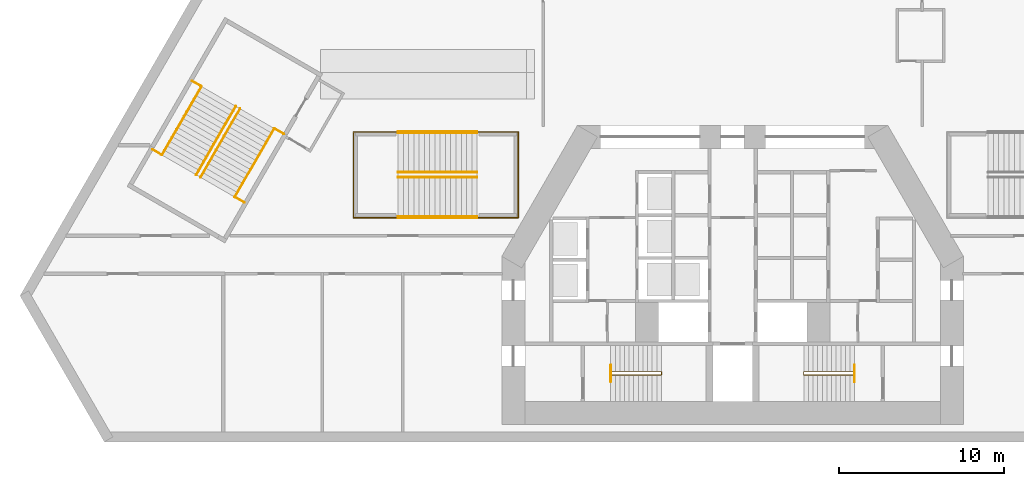
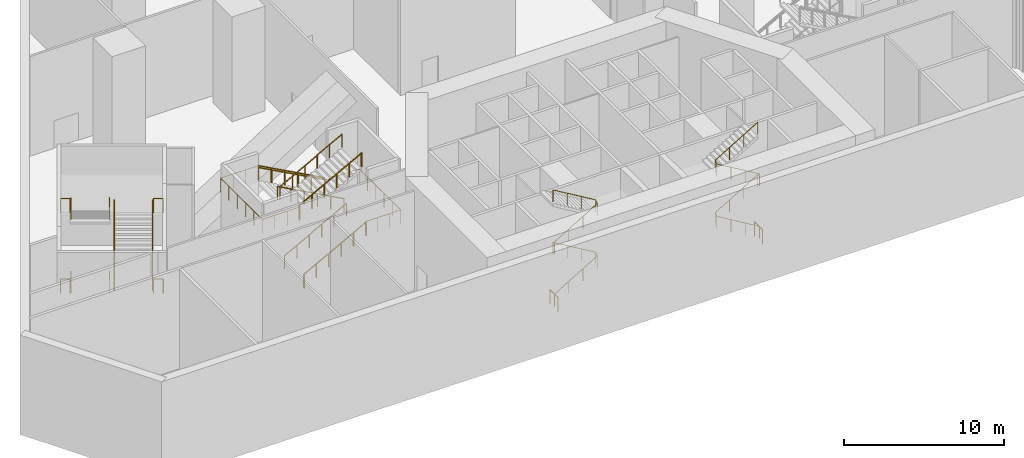
# One storey, part 9 of 11: 25 railings.
"""IFC4 building model written with IfcOpenShell, lengths in metres."""

from ifc_helpers import new_model, si_unit, direction, frame, origin, origin_2d, place, context, subcontext, project, spatial, circle, extrude, material, type_object, element, save


model = new_model("IFC4")

# Units and contexts
model_context = context("Model", 3, precision=1e-05, world=origin(), true_north=direction((0.0, 1.0)))
body_context = subcontext(model_context, "Body", "Model", "MODEL_VIEW")
ifc_project = project(units=[si_unit("LENGTHUNIT", "METRE"), si_unit("AREAUNIT", "SQUARE_METRE"), si_unit("VOLUMEUNIT", "CUBIC_METRE"), si_unit("PLANEANGLEUNIT", "RADIAN"), si_unit("MASSUNIT", "GRAM", prefix="KILO")], contexts=[model_context])

# Site, building, storey
site_placement = place(None, origin())
site = spatial("IfcSite", under=ifc_project, at=site_placement, CompositionType="ELEMENT")
building_placement = place(site_placement, origin())
building = spatial("IfcBuilding", under=site, at=building_placement, Name="Fogline Exchange Tower", CompositionType="ELEMENT")
storey_placement = place(building_placement, frame((0.0, 0.0, -8.0)))
storey = spatial("IfcBuildingStorey", under=building, at=storey_placement, Name="B1", CompositionType="ELEMENT", Elevation=-8.0)

# Railings
ifc_material = material(Name="Steel Q235B", Category="steel")
railing_type_1 = type_object("IfcRailingType", Name="PG1", PredefinedType="GUARDRAIL", material=ifc_material)
railing_1_placement = place(storey_placement, frame((-35.194091796875, 17.53076171875, 2.608642578125)))
element("IfcRailing", 1, at=railing_1_placement, inside=storey, type_object=railing_type_1, Name="Landing guard ST4", PredefinedType="GUARDRAIL", context=body_context, shape_type="SweptSolid", body=[
    extrude(circle(Radius=0.02392578125, at=origin_2d()), frame((0.0, 0.0, 1.076171875), z_axis=(0.866059952115, -0.49994015576, 0.0), x_axis=(0.49994015576, 0.866059952115, 0.0)), (0.0, 0.0, 1.0), 0.61474609375),
    extrude(circle(Radius=0.02099609375, at=origin_2d()), origin(), (0.0, 0.0, 1.0), 1.052001953125),
    extrude(circle(Radius=0.02099609375, at=origin_2d()), frame((0.532470703125, -0.307373046875, 0.0)), (0.0, 0.0, 1.0), 1.052001953125),
])
railing_2_placement = place(storey_placement, frame((-30.158203125, 14.62353515625, 2.608642578125)))
element("IfcRailing", 2, at=railing_2_placement, inside=storey, type_object=railing_type_1, Name="Landing guard ST4", PredefinedType="GUARDRAIL", context=body_context, shape_type="SweptSolid", body=[
    extrude(circle(Radius=0.02392578125, at=origin_2d()), frame((0.0, 0.0, 1.076171875), z_axis=(0.865987299264, -0.500065993159, 0.0), x_axis=(0.500065993159, 0.865987299264, 0.0)), (0.0, 0.0, 1.0), 0.615234375),
    extrude(circle(Radius=0.02099609375, at=origin_2d()), origin(), (0.0, 0.0, 1.0), 1.052001953125),
    extrude(circle(Radius=0.02099609375, at=origin_2d()), frame((0.53271484375, -0.3076171875, 0.0)), (0.0, 0.0, 1.0), 1.052001953125),
])
railing_3_placement = place(storey_placement, frame((-32.794189453125, 21.687744140625, 5.391357421875)))
element("IfcRailing", 3, at=railing_3_placement, inside=storey, type_object=railing_type_1, Name="Landing guard ST4", PredefinedType="GUARDRAIL", context=body_context, shape_type="SweptSolid", body=[
    extrude(circle(Radius=0.02392578125, at=origin_2d()), frame((0.0, 0.0, 1.076171875), z_axis=(0.866059952115, -0.49994015576, 0.0), x_axis=(0.49994015576, 0.866059952115, 0.0)), (0.0, 0.0, 1.0), 0.61474609375),
    extrude(circle(Radius=0.02099609375, at=origin_2d()), origin(), (0.0, 0.0, 1.0), 1.052001953125),
    extrude(circle(Radius=0.02099609375, at=origin_2d()), frame((0.532470703125, -0.307373046875, 0.0)), (0.0, 0.0, 1.0), 1.052001953125),
])
railing_4_placement = place(storey_placement, frame((-27.75830078125, 18.780517578125, 5.391357421875)))
element("IfcRailing", 4, at=railing_4_placement, inside=storey, type_object=railing_type_1, Name="Landing guard ST4", PredefinedType="GUARDRAIL", context=body_context, shape_type="SweptSolid", body=[
    extrude(circle(Radius=0.02392578125, at=origin_2d()), frame((0.0, 0.0, 1.076171875), z_axis=(0.865987299264, -0.500065993159, 0.0), x_axis=(0.500065993159, 0.865987299264, 0.0)), (0.0, 0.0, 1.0), 0.615234375),
    extrude(circle(Radius=0.02099609375, at=origin_2d()), origin(), (0.0, 0.0, 1.0), 1.052001953125),
    extrude(circle(Radius=0.02099609375, at=origin_2d()), frame((0.53271484375, -0.3076171875, 0.0)), (0.0, 0.0, 1.0), 1.052001953125),
])
railing_5_placement = place(storey_placement, frame((-19.97998046875, 13.3798828125, 0.173828125)))
element("IfcRailing", 5, at=railing_5_placement, inside=storey, type_object=railing_type_1, Name="Guard PS3", PredefinedType="GUARDRAIL", context=body_context, shape_type="SweptSolid", body=[
    extrude(circle(Radius=0.02392578125, at=origin_2d()), frame((0.0, 0.0, 1.076171875), z_axis=(0.878621015842, 0.0, 0.477519748828), x_axis=(0.0, 1.0, 0.0)), (0.0, 0.0, 1.0), 5.098876953125),
    extrude(circle(Radius=0.02099609375, at=origin_2d()), origin(), (0.0, 0.0, 1.0), 1.052001953125),
    extrude(circle(Radius=0.02099609375, at=origin_2d()), frame((0.89599609375, 0.0, 0.487060546875)), (0.0, 0.0, 1.0), 1.052001953125),
    extrude(circle(Radius=0.02099609375, at=origin_2d()), frame((1.7919921875, 0.0, 0.973876953125)), (0.0, 0.0, 1.0), 1.052001953125),
    extrude(circle(Radius=0.02099609375, at=origin_2d()), frame((2.68798828125, 0.0, 1.4609375)), (0.0, 0.0, 1.0), 1.052001953125),
    extrude(circle(Radius=0.02099609375, at=origin_2d()), frame((3.583984375, 0.0, 1.94775390625)), (0.0, 0.0, 1.0), 1.052001953125),
    extrude(circle(Radius=0.02099609375, at=origin_2d()), frame((4.47998046875, 0.0, 2.434814453125)), (0.0, 0.0, 1.0), 1.052001953125),
])
railing_6_placement = place(storey_placement, frame((-15.5, 18.6201171875, 2.78271484375)))
element("IfcRailing", 6, at=railing_6_placement, inside=storey, type_object=railing_type_1, Name="Guard PS3", PredefinedType="GUARDRAIL", context=body_context, shape_type="SweptSolid", body=[
    extrude(circle(Radius=0.02392578125, at=origin_2d()), frame((0.0, 0.0, 1.076171875), z_axis=(-0.878630623466, 0.0, 0.477502070685), x_axis=(0.0, -1.0, 0.0)), (0.0, 0.0, 1.0), 5.463134765625),
    extrude(circle(Radius=0.02099609375, at=origin_2d()), origin(), (0.0, 0.0, 1.0), 1.052001953125),
    extrude(circle(Radius=0.02099609375, at=origin_2d()), frame((-0.9599609375, 0.0, 0.521728515625)), (0.0, 0.0, 1.0), 1.052001953125),
    extrude(circle(Radius=0.02099609375, at=origin_2d()), frame((-1.919921875, 0.0, 1.04345703125)), (0.0, 0.0, 1.0), 1.052001953125),
    extrude(circle(Radius=0.02099609375, at=origin_2d()), frame((-2.880126953125, 0.0, 1.565185546875)), (0.0, 0.0, 1.0), 1.052001953125),
    extrude(circle(Radius=0.02099609375, at=origin_2d()), frame((-3.840087890625, 0.0, 2.0869140625)), (0.0, 0.0, 1.0), 1.052001953125),
    extrude(circle(Radius=0.02099609375, at=origin_2d()), frame((-4.800048828125, 0.0, 2.608642578125)), (0.0, 0.0, 1.0), 1.052001953125),
])
railing_7_placement = place(storey_placement, frame((-20.300048828125, 13.3798828125, 5.565185546875)))
element("IfcRailing", 7, at=railing_7_placement, inside=storey, type_object=railing_type_1, Name="Guard PS3", PredefinedType="GUARDRAIL", context=body_context, shape_type="SweptSolid", body=[
    extrude(circle(Radius=0.02392578125, at=origin_2d()), frame((0.0, 0.0, 1.076171875), z_axis=(0.878621015842, 0.0, 0.477519748828), x_axis=(0.0, 1.0, 0.0)), (0.0, 0.0, 1.0), 5.098876953125),
    extrude(circle(Radius=0.02099609375, at=origin_2d()), origin(), (0.0, 0.0, 1.0), 1.052001953125),
    extrude(circle(Radius=0.02099609375, at=origin_2d()), frame((0.89599609375, 0.0, 0.487060546875)), (0.0, 0.0, 1.0), 1.052001953125),
    extrude(circle(Radius=0.02099609375, at=origin_2d()), frame((1.7919921875, 0.0, 0.973876953125)), (0.0, 0.0, 1.0), 1.052001953125),
    extrude(circle(Radius=0.02099609375, at=origin_2d()), frame((2.68798828125, 0.0, 1.4609375)), (0.0, 0.0, 1.0), 1.052001953125),
    extrude(circle(Radius=0.02099609375, at=origin_2d()), frame((3.583984375, 0.0, 1.94775390625)), (0.0, 0.0, 1.0), 1.052001953125),
    extrude(circle(Radius=0.02099609375, at=origin_2d()), frame((4.47998046875, 0.0, 2.434814453125)), (0.0, 0.0, 1.0), 1.052001953125),
])
railing_8_placement = place(storey_placement, frame((-15.5, 13.39990234375, 2.608642578125)))
element("IfcRailing", 8, at=railing_8_placement, inside=storey, type_object=railing_type_1, Name="Landing guard PS3", PredefinedType="GUARDRAIL", context=body_context, shape_type="SweptSolid", body=[
    extrude(circle(Radius=0.02392578125, at=origin_2d()), frame((0.0, 0.0, 1.076171875), z_axis=(1.0, 0.0, 0.0), x_axis=(0.0, 1.0, 0.0)), (0.0, 0.0, 1.0), 2.5),
    extrude(circle(Radius=0.02392578125, at=origin_2d()), frame((2.5, 0.0, 1.076171875), z_axis=(0.0, 1.0, 0.0), x_axis=(-1.0, 0.0, 0.0)), (0.0, 0.0, 1.0), 5.2001953125),
    extrude(circle(Radius=0.02392578125, at=origin_2d()), frame((2.5, 5.2001953125, 1.076171875), z_axis=(-1.0, 0.0, 0.0), x_axis=(0.0, -1.0, 0.0)), (0.0, 0.0, 1.0), 2.5),
    extrude(circle(Radius=0.02099609375, at=origin_2d()), origin(), (0.0, 0.0, 1.0), 1.052001953125),
    extrude(circle(Radius=0.02099609375, at=origin_2d()), frame((0.833251953125, 0.0, 0.0)), (0.0, 0.0, 1.0), 1.052001953125),
    extrude(circle(Radius=0.02099609375, at=origin_2d()), frame((1.666748046875, 0.0, 0.0)), (0.0, 0.0, 1.0), 1.052001953125),
    extrude(circle(Radius=0.02099609375, at=origin_2d()), frame((2.5, 0.0, 0.0)), (0.0, 0.0, 1.0), 1.052001953125),
    extrude(circle(Radius=0.02099609375, at=origin_2d()), frame((2.5, 1.0400390625, 0.0)), (0.0, 0.0, 1.0), 1.052001953125),
    extrude(circle(Radius=0.02099609375, at=origin_2d()), frame((2.5, 2.080078125, 0.0)), (0.0, 0.0, 1.0), 1.052001953125),
    extrude(circle(Radius=0.02099609375, at=origin_2d()), frame((2.5, 3.1201171875, 0.0)), (0.0, 0.0, 1.0), 1.052001953125),
    extrude(circle(Radius=0.02099609375, at=origin_2d()), frame((2.5, 4.16015625, 0.0)), (0.0, 0.0, 1.0), 1.052001953125),
    extrude(circle(Radius=0.02099609375, at=origin_2d()), frame((2.5, 5.2001953125, 0.0)), (0.0, 0.0, 1.0), 1.052001953125),
    extrude(circle(Radius=0.02099609375, at=origin_2d()), frame((1.666748046875, 5.2001953125, 0.0)), (0.0, 0.0, 1.0), 1.052001953125),
    extrude(circle(Radius=0.02099609375, at=origin_2d()), frame((0.833251953125, 5.2001953125, 0.0)), (0.0, 0.0, 1.0), 1.052001953125),
    extrude(circle(Radius=0.02099609375, at=origin_2d()), frame((0.0, 5.2001953125, 0.0)), (0.0, 0.0, 1.0), 1.052001953125),
])
railing_9_placement = place(storey_placement, frame((-20.300048828125, 13.39990234375, 5.391357421875)))
element("IfcRailing", 9, at=railing_9_placement, inside=storey, type_object=railing_type_1, Name="Landing guard PS3", PredefinedType="GUARDRAIL", context=body_context, shape_type="SweptSolid", body=[
    extrude(circle(Radius=0.02392578125, at=origin_2d()), frame((0.0, 0.0, 1.076171875), z_axis=(-1.0, 0.0, 0.0), x_axis=(0.0, -1.0, 0.0)), (0.0, 0.0, 1.0), 2.699951171875),
    extrude(circle(Radius=0.02392578125, at=origin_2d()), frame((-2.699951171875, 0.0, 1.076171875), z_axis=(0.0, 1.0, 0.0), x_axis=(-1.0, 0.0, 0.0)), (0.0, 0.0, 1.0), 5.2001953125),
    extrude(circle(Radius=0.02392578125, at=origin_2d()), frame((-2.699951171875, 5.2001953125, 1.076171875), z_axis=(1.0, 0.0, 0.0), x_axis=(0.0, 1.0, 0.0)), (0.0, 0.0, 1.0), 2.699951171875),
    extrude(circle(Radius=0.02099609375, at=origin_2d()), origin(), (0.0, 0.0, 1.0), 1.052001953125),
    extrude(circle(Radius=0.02099609375, at=origin_2d()), frame((-0.89990234375, 0.0, 0.0)), (0.0, 0.0, 1.0), 1.052001953125),
    extrude(circle(Radius=0.02099609375, at=origin_2d()), frame((-1.800048828125, 0.0, 0.0)), (0.0, 0.0, 1.0), 1.052001953125),
    extrude(circle(Radius=0.02099609375, at=origin_2d()), frame((-2.699951171875, 0.0, 0.0)), (0.0, 0.0, 1.0), 1.052001953125),
    extrude(circle(Radius=0.02099609375, at=origin_2d()), frame((-2.699951171875, 1.0400390625, 0.0)), (0.0, 0.0, 1.0), 1.052001953125),
    extrude(circle(Radius=0.02099609375, at=origin_2d()), frame((-2.699951171875, 2.080078125, 0.0)), (0.0, 0.0, 1.0), 1.052001953125),
    extrude(circle(Radius=0.02099609375, at=origin_2d()), frame((-2.699951171875, 3.1201171875, 0.0)), (0.0, 0.0, 1.0), 1.052001953125),
    extrude(circle(Radius=0.02099609375, at=origin_2d()), frame((-2.699951171875, 4.16015625, 0.0)), (0.0, 0.0, 1.0), 1.052001953125),
    extrude(circle(Radius=0.02099609375, at=origin_2d()), frame((-2.699951171875, 5.2001953125, 0.0)), (0.0, 0.0, 1.0), 1.052001953125),
    extrude(circle(Radius=0.02099609375, at=origin_2d()), frame((-1.800048828125, 5.2001953125, 0.0)), (0.0, 0.0, 1.0), 1.052001953125),
    extrude(circle(Radius=0.02099609375, at=origin_2d()), frame((-0.89990234375, 5.2001953125, 0.0)), (0.0, 0.0, 1.0), 1.052001953125),
    extrude(circle(Radius=0.02099609375, at=origin_2d()), frame((0.0, 5.2001953125, 0.0)), (0.0, 0.0, 1.0), 1.052001953125),
])
railing_type_2 = type_object("IfcRailingType", Name="PH1", PredefinedType="HANDRAIL", material=ifc_material)
railing_10_placement = place(storey_placement, frame((-32.37841796875, 21.078125, 0.173828125)))
element("IfcRailing", 10, at=railing_10_placement, inside=storey, type_object=railing_type_2, Name="Handrail ST4", PredefinedType="HANDRAIL", context=body_context, shape_type="SweptSolid", body=[
    extrude(circle(Radius=0.02392578125, at=origin_2d()), frame((0.0, 0.0, 0.97607421875), z_axis=(-0.439319569707, -0.760896706508, 0.477529598767), x_axis=(0.866017690131, -0.500013360201, 0.0)), (0.0, 0.0, 1.0), 5.098876953125),
    extrude(circle(Radius=0.02099609375, at=origin_2d()), origin(), (0.0, 0.0, 1.0), 0.951904296875),
    extrude(circle(Radius=0.02099609375, at=origin_2d()), frame((-0.447998046875, -0.77587890625, 0.487060546875)), (0.0, 0.0, 1.0), 0.951904296875),
    extrude(circle(Radius=0.02099609375, at=origin_2d()), frame((-0.89599609375, -1.5517578125, 0.973876953125)), (0.0, 0.0, 1.0), 0.951904296875),
    extrude(circle(Radius=0.02099609375, at=origin_2d()), frame((-1.343994140625, -2.327880859375, 1.4609375)), (0.0, 0.0, 1.0), 0.951904296875),
    extrude(circle(Radius=0.02099609375, at=origin_2d()), frame((-1.7919921875, -3.103759765625, 1.94775390625)), (0.0, 0.0, 1.0), 0.951904296875),
    extrude(circle(Radius=0.02099609375, at=origin_2d()), frame((-2.239990234375, -3.879638671875, 2.434814453125)), (0.0, 0.0, 1.0), 0.951904296875),
])
railing_11_placement = place(storey_placement, frame((-30.2998046875, 19.87841796875, 0.173828125)))
element("IfcRailing", 11, at=railing_11_placement, inside=storey, type_object=railing_type_2, Name="Handrail ST4", PredefinedType="HANDRAIL", context=body_context, shape_type="SweptSolid", body=[
    extrude(circle(Radius=0.02392578125, at=origin_2d()), frame((0.0, 0.0, 0.97607421875), z_axis=(-0.439287559345, -0.760937022416, 0.477494804288), x_axis=(0.866044936414, -0.499966166967, 0.0)), (0.0, 0.0, 1.0), 5.09912109375),
    extrude(circle(Radius=0.02099609375, at=origin_2d()), origin(), (0.0, 0.0, 1.0), 0.951904296875),
    extrude(circle(Radius=0.02099609375, at=origin_2d()), frame((-0.447998046875, -0.776123046875, 0.487060546875)), (0.0, 0.0, 1.0), 0.951904296875),
    extrude(circle(Radius=0.02099609375, at=origin_2d()), frame((-0.89599609375, -1.552001953125, 0.973876953125)), (0.0, 0.0, 1.0), 0.951904296875),
    extrude(circle(Radius=0.02099609375, at=origin_2d()), frame((-1.343994140625, -2.328125, 1.4609375)), (0.0, 0.0, 1.0), 0.951904296875),
    extrude(circle(Radius=0.02099609375, at=origin_2d()), frame((-1.7919921875, -3.10400390625, 1.94775390625)), (0.0, 0.0, 1.0), 0.951904296875),
    extrude(circle(Radius=0.02099609375, at=origin_2d()), frame((-2.239990234375, -3.880126953125, 2.434814453125)), (0.0, 0.0, 1.0), 0.951904296875),
])
for number, where, name in (
    (12, (-30.201416015625, 14.6484375, 2.78271484375), "Handrail ST4"),
    (13, (-32.280029296875, 15.848388671875, 2.78271484375), "Handrail ST4"),
):
    element("IfcRailing", number, at=place(storey_placement, frame(where)), inside=storey, type_object=railing_type_2, Name=name, PredefinedType="HANDRAIL", context=body_context, shape_type="SweptSolid", body=[
        extrude(circle(Radius=0.02392578125, at=origin_2d()), frame((0.0, 0.0, 0.97607421875), z_axis=(0.439296165955, 0.760925312076, 0.477505547632), x_axis=(-0.866037363387, 0.499979284789, 0.0)), (0.0, 0.0, 1.0), 5.463134765625),
        extrude(circle(Radius=0.02099609375, at=origin_2d()), origin(), (0.0, 0.0, 1.0), 0.951904296875),
        extrude(circle(Radius=0.02099609375, at=origin_2d()), frame((0.47998046875, 0.831298828125, 0.521728515625)), (0.0, 0.0, 1.0), 0.951904296875),
        extrude(circle(Radius=0.02099609375, at=origin_2d()), frame((0.9599609375, 1.662841796875, 1.04345703125)), (0.0, 0.0, 1.0), 0.951904296875),
        extrude(circle(Radius=0.02099609375, at=origin_2d()), frame((1.43994140625, 2.494140625, 1.565185546875)), (0.0, 0.0, 1.0), 0.951904296875),
        extrude(circle(Radius=0.02099609375, at=origin_2d()), frame((1.919921875, 3.32568359375, 2.0869140625)), (0.0, 0.0, 1.0), 0.951904296875),
        extrude(circle(Radius=0.02099609375, at=origin_2d()), frame((2.39990234375, 4.156982421875, 2.608642578125)), (0.0, 0.0, 1.0), 0.951904296875),
    ])
railing_12_placement = place(storey_placement, frame((-32.218505859375, 21.355224609375, 5.565185546875)))
element("IfcRailing", 14, at=railing_12_placement, inside=storey, type_object=railing_type_2, Name="Handrail ST4", PredefinedType="HANDRAIL", context=body_context, shape_type="SweptSolid", body=[
    extrude(circle(Radius=0.02392578125, at=origin_2d()), frame((0.0, 0.0, 0.97607421875), z_axis=(-0.439280927599, -0.760912712064, 0.477539643661), x_axis=(0.866041288283, -0.499972486232, 0.0)), (0.0, 0.0, 1.0), 5.0986328125),
    extrude(circle(Radius=0.02099609375, at=origin_2d()), origin(), (0.0, 0.0, 1.0), 0.951904296875),
    extrude(circle(Radius=0.02099609375, at=origin_2d()), frame((-0.447998046875, -0.77587890625, 0.487060546875)), (0.0, 0.0, 1.0), 0.951904296875),
    extrude(circle(Radius=0.02099609375, at=origin_2d()), frame((-0.89599609375, -1.5517578125, 0.973876953125)), (0.0, 0.0, 1.0), 0.951904296875),
    extrude(circle(Radius=0.02099609375, at=origin_2d()), frame((-1.34375, -2.327880859375, 1.4609375)), (0.0, 0.0, 1.0), 0.951904296875),
    extrude(circle(Radius=0.02099609375, at=origin_2d()), frame((-1.791748046875, -3.103759765625, 1.94775390625)), (0.0, 0.0, 1.0), 0.951904296875),
    extrude(circle(Radius=0.02099609375, at=origin_2d()), frame((-2.23974609375, -3.879638671875, 2.434814453125)), (0.0, 0.0, 1.0), 0.951904296875),
])
railing_13_placement = place(storey_placement, frame((-30.139892578125, 20.155517578125, 5.565185546875)))
element("IfcRailing", 15, at=railing_13_placement, inside=storey, type_object=railing_type_2, Name="Handrail ST4", PredefinedType="HANDRAIL", context=body_context, shape_type="SweptSolid", body=[
    extrude(circle(Radius=0.02392578125, at=origin_2d()), frame((0.0, 0.0, 0.97607421875), z_axis=(-0.439287559345, -0.760937022416, 0.477494804288), x_axis=(0.866044936414, -0.499966166967, 0.0)), (0.0, 0.0, 1.0), 5.09912109375),
    extrude(circle(Radius=0.02099609375, at=origin_2d()), origin(), (0.0, 0.0, 1.0), 0.951904296875),
    extrude(circle(Radius=0.02099609375, at=origin_2d()), frame((-0.447998046875, -0.776123046875, 0.487060546875)), (0.0, 0.0, 1.0), 0.951904296875),
    extrude(circle(Radius=0.02099609375, at=origin_2d()), frame((-0.89599609375, -1.552001953125, 0.973876953125)), (0.0, 0.0, 1.0), 0.951904296875),
    extrude(circle(Radius=0.02099609375, at=origin_2d()), frame((-1.343994140625, -2.328125, 1.4609375)), (0.0, 0.0, 1.0), 0.951904296875),
    extrude(circle(Radius=0.02099609375, at=origin_2d()), frame((-1.7919921875, -3.10400390625, 1.94775390625)), (0.0, 0.0, 1.0), 0.951904296875),
    extrude(circle(Radius=0.02099609375, at=origin_2d()), frame((-2.239990234375, -3.880126953125, 2.434814453125)), (0.0, 0.0, 1.0), 0.951904296875),
])
for number, where, name in (
    (16, (-19.97998046875, 13.449951171875, 0.173828125), "Handrail PS3"),
    (17, (-19.97998046875, 15.85009765625, 0.173828125), "Handrail PS3"),
):
    element("IfcRailing", number, at=place(storey_placement, frame(where)), inside=storey, type_object=railing_type_2, Name=name, PredefinedType="HANDRAIL", context=body_context, shape_type="SweptSolid", body=[
        extrude(circle(Radius=0.02392578125, at=origin_2d()), frame((0.0, 0.0, 0.97607421875), z_axis=(0.878621015842, 0.0, 0.477519748828), x_axis=(0.0, 1.0, 0.0)), (0.0, 0.0, 1.0), 5.098876953125),
        extrude(circle(Radius=0.02099609375, at=origin_2d()), origin(), (0.0, 0.0, 1.0), 0.951904296875),
        extrude(circle(Radius=0.02099609375, at=origin_2d()), frame((0.89599609375, 0.0, 0.487060546875)), (0.0, 0.0, 1.0), 0.951904296875),
        extrude(circle(Radius=0.02099609375, at=origin_2d()), frame((1.7919921875, 0.0, 0.973876953125)), (0.0, 0.0, 1.0), 0.951904296875),
        extrude(circle(Radius=0.02099609375, at=origin_2d()), frame((2.68798828125, 0.0, 1.4609375)), (0.0, 0.0, 1.0), 0.951904296875),
        extrude(circle(Radius=0.02099609375, at=origin_2d()), frame((3.583984375, 0.0, 1.94775390625)), (0.0, 0.0, 1.0), 0.951904296875),
        extrude(circle(Radius=0.02099609375, at=origin_2d()), frame((4.47998046875, 0.0, 2.434814453125)), (0.0, 0.0, 1.0), 0.951904296875),
    ])
for number, where, name in (
    (18, (-15.5, 18.550048828125, 2.78271484375), "Handrail PS3"),
    (19, (-15.5, 16.14990234375, 2.78271484375), "Handrail PS3"),
):
    element("IfcRailing", number, at=place(storey_placement, frame(where)), inside=storey, type_object=railing_type_2, Name=name, PredefinedType="HANDRAIL", context=body_context, shape_type="SweptSolid", body=[
        extrude(circle(Radius=0.02392578125, at=origin_2d()), frame((0.0, 0.0, 0.97607421875), z_axis=(-0.878630623466, 0.0, 0.477502070685), x_axis=(0.0, -1.0, 0.0)), (0.0, 0.0, 1.0), 5.463134765625),
        extrude(circle(Radius=0.02099609375, at=origin_2d()), origin(), (0.0, 0.0, 1.0), 0.951904296875),
        extrude(circle(Radius=0.02099609375, at=origin_2d()), frame((-0.9599609375, 0.0, 0.521728515625)), (0.0, 0.0, 1.0), 0.951904296875),
        extrude(circle(Radius=0.02099609375, at=origin_2d()), frame((-1.919921875, 0.0, 1.04345703125)), (0.0, 0.0, 1.0), 0.951904296875),
        extrude(circle(Radius=0.02099609375, at=origin_2d()), frame((-2.880126953125, 0.0, 1.565185546875)), (0.0, 0.0, 1.0), 0.951904296875),
        extrude(circle(Radius=0.02099609375, at=origin_2d()), frame((-3.840087890625, 0.0, 2.0869140625)), (0.0, 0.0, 1.0), 0.951904296875),
        extrude(circle(Radius=0.02099609375, at=origin_2d()), frame((-4.800048828125, 0.0, 2.608642578125)), (0.0, 0.0, 1.0), 0.951904296875),
    ])
for number, where, name in (
    (20, (-20.300048828125, 13.449951171875, 5.565185546875), "Handrail PS3"),
    (21, (-20.300048828125, 15.85009765625, 5.565185546875), "Handrail PS3"),
):
    element("IfcRailing", number, at=place(storey_placement, frame(where)), inside=storey, type_object=railing_type_2, Name=name, PredefinedType="HANDRAIL", context=body_context, shape_type="SweptSolid", body=[
        extrude(circle(Radius=0.02392578125, at=origin_2d()), frame((0.0, 0.0, 0.97607421875), z_axis=(0.878621015842, 0.0, 0.477519748828), x_axis=(0.0, 1.0, 0.0)), (0.0, 0.0, 1.0), 5.098876953125),
        extrude(circle(Radius=0.02099609375, at=origin_2d()), origin(), (0.0, 0.0, 1.0), 0.951904296875),
        extrude(circle(Radius=0.02099609375, at=origin_2d()), frame((0.89599609375, 0.0, 0.487060546875)), (0.0, 0.0, 1.0), 0.951904296875),
        extrude(circle(Radius=0.02099609375, at=origin_2d()), frame((1.7919921875, 0.0, 0.973876953125)), (0.0, 0.0, 1.0), 0.951904296875),
        extrude(circle(Radius=0.02099609375, at=origin_2d()), frame((2.68798828125, 0.0, 1.4609375)), (0.0, 0.0, 1.0), 0.951904296875),
        extrude(circle(Radius=0.02099609375, at=origin_2d()), frame((3.583984375, 0.0, 1.94775390625)), (0.0, 0.0, 1.0), 0.951904296875),
        extrude(circle(Radius=0.02099609375, at=origin_2d()), frame((4.47998046875, 0.0, 2.434814453125)), (0.0, 0.0, 1.0), 0.951904296875),
    ])
railing_type_3 = type_object("IfcRailingType", Name="RL-GD", PredefinedType="GUARDRAIL", material=ifc_material)
for number, where, name in (
    (22, (-7.389892578125, 3.449951171875, 0.0), "Guard at well"),
    (23, (7.389892578125, 3.449951171875, 0.0), "Guard at well"),
):
    element("IfcRailing", number, at=place(storey_placement, frame(where)), inside=storey, type_object=railing_type_3, Name=name, PredefinedType="GUARDRAIL", context=body_context, shape_type="SweptSolid", body=[
        extrude(circle(Radius=0.02392578125, at=origin_2d()), frame((0.0, 0.0, 1.076171875), z_axis=(0.0, 1.0, 0.0), x_axis=(-1.0, 0.0, 0.0)), (0.0, 0.0, 1.0), 1.0),
        extrude(circle(Radius=0.02099609375, at=origin_2d()), origin(), (0.0, 0.0, 1.0), 1.052001953125),
        extrude(circle(Radius=0.02099609375, at=origin_2d()), frame((0.0, 1.0, 0.0)), (0.0, 0.0, 1.0), 1.052001953125),
    ])
railing_type_4 = type_object("IfcRailingType", Name="RL-HR", PredefinedType="HANDRAIL", material=ifc_material)
railing_14_placement = place(storey_placement, frame((-7.39990234375, 3.85009765625, 0.166748046875)))
element("IfcRailing", 24, at=railing_14_placement, inside=storey, type_object=railing_type_4, Name="Handrail ST1", PredefinedType="HANDRAIL", context=body_context, shape_type="SweptSolid", body=[
    extrude(circle(Radius=0.02392578125, at=origin_2d()), frame((0.0, 0.0, 0.92578125), z_axis=(0.859290745958, 0.0, 0.51148745235), x_axis=(0.0, 1.0, 0.0)), (0.0, 0.0, 1.0), 3.584228515625),
    extrude(circle(Radius=0.02392578125, at=origin_2d()), frame((3.079833984375, 0.0, 2.75927734375), z_axis=(0.0, 0.767990643491, 0.640461061666), x_axis=(-1.0, 0.0, 0.0)), (0.0, 0.0, 1.0), 0.26025390625),
    extrude(circle(Radius=0.02392578125, at=origin_2d()), frame((3.079833984375, 0.199951171875, 2.92578125), z_axis=(-0.859290745958, 0.0, 0.51148745235), x_axis=(0.0, -1.0, 0.0)), (0.0, 0.0, 1.0), 3.584228515625),
    extrude(circle(Radius=0.02392578125, at=origin_2d()), frame((0.0, 0.199951171875, 4.75927734375), z_axis=(0.0, -0.767990643491, 0.640461061666), x_axis=(1.0, 0.0, 0.0)), (0.0, 0.0, 1.0), 0.26025390625),
    extrude(circle(Radius=0.02392578125, at=origin_2d()), frame((0.0, 0.0, 4.92578125), z_axis=(0.859290745958, 0.0, 0.51148745235), x_axis=(0.0, 1.0, 0.0)), (0.0, 0.0, 1.0), 3.584228515625),
    extrude(circle(Radius=0.02392578125, at=origin_2d()), frame((3.079833984375, 0.0, 6.75927734375), z_axis=(0.0, 0.767990643491, 0.640461061666), x_axis=(-1.0, 0.0, 0.0)), (0.0, 0.0, 1.0), 0.26025390625),
    extrude(circle(Radius=0.02392578125, at=origin_2d()), frame((3.079833984375, 0.199951171875, 6.92578125), z_axis=(-0.859290745958, 0.0, 0.51148745235), x_axis=(0.0, -1.0, 0.0)), (0.0, 0.0, 1.0), 3.584228515625),
    extrude(circle(Radius=0.02099609375, at=origin_2d()), origin(), (0.0, 0.0, 1.0), 0.90185546875),
    extrude(circle(Radius=0.02099609375, at=origin_2d()), frame((1.026611328125, 0.0, 0.611083984375)), (0.0, 0.0, 1.0), 0.90185546875),
    extrude(circle(Radius=0.02099609375, at=origin_2d()), frame((2.05322265625, 0.0, 1.22216796875)), (0.0, 0.0, 1.0), 0.90185546875),
    extrude(circle(Radius=0.02099609375, at=origin_2d()), frame((3.079833984375, 0.0, 1.833251953125)), (0.0, 0.0, 1.0), 0.90185546875),
    extrude(circle(Radius=0.02099609375, at=origin_2d()), frame((3.079833984375, 0.199951171875, 2.0)), (0.0, 0.0, 1.0), 0.90185546875),
    extrude(circle(Radius=0.02099609375, at=origin_2d()), frame((2.05322265625, 0.199951171875, 2.611083984375)), (0.0, 0.0, 1.0), 0.90185546875),
    extrude(circle(Radius=0.02099609375, at=origin_2d()), frame((1.026611328125, 0.199951171875, 3.22216796875)), (0.0, 0.0, 1.0), 0.90185546875),
    extrude(circle(Radius=0.02099609375, at=origin_2d()), frame((0.0, 0.199951171875, 3.833251953125)), (0.0, 0.0, 1.0), 0.90185546875),
    extrude(circle(Radius=0.02099609375, at=origin_2d()), frame((0.0, 0.0, 4.0)), (0.0, 0.0, 1.0), 0.90185546875),
    extrude(circle(Radius=0.02099609375, at=origin_2d()), frame((1.026611328125, 0.0, 4.611083984375)), (0.0, 0.0, 1.0), 0.90185546875),
    extrude(circle(Radius=0.02099609375, at=origin_2d()), frame((2.05322265625, 0.0, 5.22216796875)), (0.0, 0.0, 1.0), 0.90185546875),
    extrude(circle(Radius=0.02099609375, at=origin_2d()), frame((3.079833984375, 0.0, 5.833251953125)), (0.0, 0.0, 1.0), 0.90185546875),
    extrude(circle(Radius=0.02099609375, at=origin_2d()), frame((3.079833984375, 0.199951171875, 6.0)), (0.0, 0.0, 1.0), 0.90185546875),
    extrude(circle(Radius=0.02099609375, at=origin_2d()), frame((2.05322265625, 0.199951171875, 6.611083984375)), (0.0, 0.0, 1.0), 0.90185546875),
    extrude(circle(Radius=0.02099609375, at=origin_2d()), frame((1.026611328125, 0.199951171875, 7.22216796875)), (0.0, 0.0, 1.0), 0.90185546875),
    extrude(circle(Radius=0.02099609375, at=origin_2d()), frame((0.0, 0.199951171875, 7.833251953125)), (0.0, 0.0, 1.0), 0.90185546875),
])
railing_15_placement = place(storey_placement, frame((7.39990234375, 3.85009765625, 0.166748046875)))
element("IfcRailing", 25, at=railing_15_placement, inside=storey, type_object=railing_type_4, Name="Handrail ST2", PredefinedType="HANDRAIL", context=body_context, shape_type="SweptSolid", body=[
    extrude(circle(Radius=0.02392578125, at=origin_2d()), frame((0.0, 0.0, 0.92578125), z_axis=(-0.859290745958, 0.0, 0.51148745235), x_axis=(0.0, -1.0, 0.0)), (0.0, 0.0, 1.0), 3.584228515625),
    extrude(circle(Radius=0.02392578125, at=origin_2d()), frame((-3.079833984375, 0.0, 2.75927734375), z_axis=(0.0, 0.767990643491, 0.640461061666), x_axis=(-1.0, 0.0, 0.0)), (0.0, 0.0, 1.0), 0.26025390625),
    extrude(circle(Radius=0.02392578125, at=origin_2d()), frame((-3.079833984375, 0.199951171875, 2.92578125), z_axis=(0.859290745958, 0.0, 0.51148745235), x_axis=(0.0, 1.0, 0.0)), (0.0, 0.0, 1.0), 3.584228515625),
    extrude(circle(Radius=0.02392578125, at=origin_2d()), frame((0.0, 0.199951171875, 4.75927734375), z_axis=(0.0, -0.767990643491, 0.640461061666), x_axis=(1.0, 0.0, 0.0)), (0.0, 0.0, 1.0), 0.26025390625),
    extrude(circle(Radius=0.02392578125, at=origin_2d()), frame((0.0, 0.0, 4.92578125), z_axis=(-0.859290745958, 0.0, 0.51148745235), x_axis=(0.0, -1.0, 0.0)), (0.0, 0.0, 1.0), 3.584228515625),
    extrude(circle(Radius=0.02392578125, at=origin_2d()), frame((-3.079833984375, 0.0, 6.75927734375), z_axis=(0.0, 0.767990643491, 0.640461061666), x_axis=(-1.0, 0.0, 0.0)), (0.0, 0.0, 1.0), 0.26025390625),
    extrude(circle(Radius=0.02392578125, at=origin_2d()), frame((-3.079833984375, 0.199951171875, 6.92578125), z_axis=(0.859290745958, 0.0, 0.51148745235), x_axis=(0.0, 1.0, 0.0)), (0.0, 0.0, 1.0), 3.584228515625),
    extrude(circle(Radius=0.02099609375, at=origin_2d()), origin(), (0.0, 0.0, 1.0), 0.90185546875),
    extrude(circle(Radius=0.02099609375, at=origin_2d()), frame((-1.026611328125, 0.0, 0.611083984375)), (0.0, 0.0, 1.0), 0.90185546875),
    extrude(circle(Radius=0.02099609375, at=origin_2d()), frame((-2.05322265625, 0.0, 1.22216796875)), (0.0, 0.0, 1.0), 0.90185546875),
    extrude(circle(Radius=0.02099609375, at=origin_2d()), frame((-3.079833984375, 0.0, 1.833251953125)), (0.0, 0.0, 1.0), 0.90185546875),
    extrude(circle(Radius=0.02099609375, at=origin_2d()), frame((-3.079833984375, 0.199951171875, 2.0)), (0.0, 0.0, 1.0), 0.90185546875),
    extrude(circle(Radius=0.02099609375, at=origin_2d()), frame((-2.05322265625, 0.199951171875, 2.611083984375)), (0.0, 0.0, 1.0), 0.90185546875),
    extrude(circle(Radius=0.02099609375, at=origin_2d()), frame((-1.026611328125, 0.199951171875, 3.22216796875)), (0.0, 0.0, 1.0), 0.90185546875),
    extrude(circle(Radius=0.02099609375, at=origin_2d()), frame((0.0, 0.199951171875, 3.833251953125)), (0.0, 0.0, 1.0), 0.90185546875),
    extrude(circle(Radius=0.02099609375, at=origin_2d()), frame((0.0, 0.0, 4.0)), (0.0, 0.0, 1.0), 0.90185546875),
    extrude(circle(Radius=0.02099609375, at=origin_2d()), frame((-1.026611328125, 0.0, 4.611083984375)), (0.0, 0.0, 1.0), 0.90185546875),
    extrude(circle(Radius=0.02099609375, at=origin_2d()), frame((-2.05322265625, 0.0, 5.22216796875)), (0.0, 0.0, 1.0), 0.90185546875),
    extrude(circle(Radius=0.02099609375, at=origin_2d()), frame((-3.079833984375, 0.0, 5.833251953125)), (0.0, 0.0, 1.0), 0.90185546875),
    extrude(circle(Radius=0.02099609375, at=origin_2d()), frame((-3.079833984375, 0.199951171875, 6.0)), (0.0, 0.0, 1.0), 0.90185546875),
    extrude(circle(Radius=0.02099609375, at=origin_2d()), frame((-2.05322265625, 0.199951171875, 6.611083984375)), (0.0, 0.0, 1.0), 0.90185546875),
    extrude(circle(Radius=0.02099609375, at=origin_2d()), frame((-1.026611328125, 0.199951171875, 7.22216796875)), (0.0, 0.0, 1.0), 0.90185546875),
    extrude(circle(Radius=0.02099609375, at=origin_2d()), frame((0.0, 0.199951171875, 7.833251953125)), (0.0, 0.0, 1.0), 0.90185546875),
])

save(model, "model.ifc")
